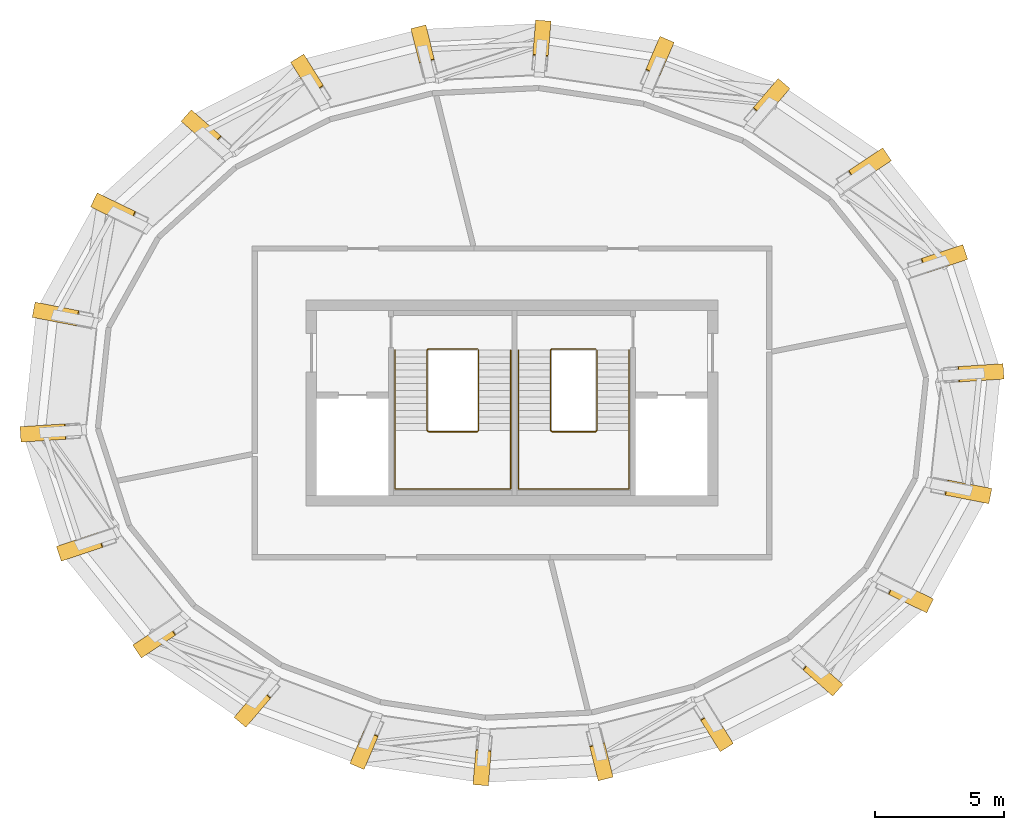
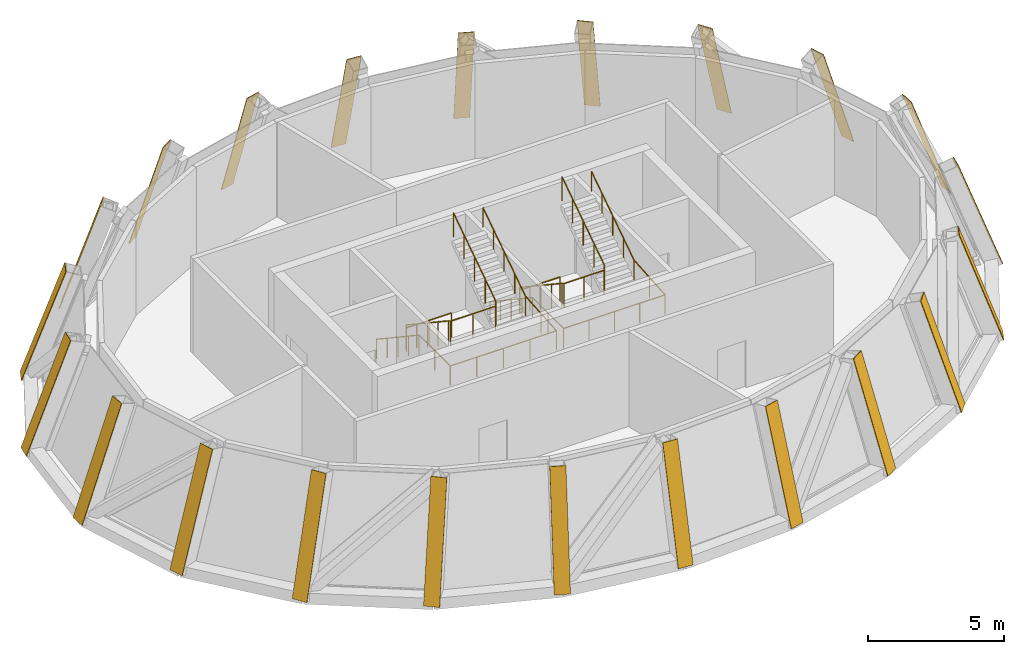
# One storey, part 6 of 6: 22 coverings, 4 railings.
"""IFC4 building model written with IfcOpenShell, lengths in metres."""

import ifcopenshell
import ifcopenshell.guid

model = None  # the IFC model being written
_history = None  # IfcOwnerHistory: only IFC2X3 demands one
_inside = {}  # id of a spatial element -> (the spatial element, [elements in it])
_under = {}  # id of a project, library or spatial element -> (it, [spatial elements below it])
_declared = {}  # id of a project -> (the project, [libraries it declares])
_typed = {}  # id of a type object -> (the type object, [elements of that type])
_made_of = {}  # id of a material, layer set ... -> (it, [elements and type objects made of it])


def new_model(schema):
    """Start an empty IFC model of exactly this schema.

    Asked for "IFC4X3", IfcOpenShell would pick the latest addendum, in which some entities
    have other attributes; the version numbers below select the first issue.
    IFC2X3 requires an IfcOwnerHistory on every rooted entity: one is made here for all.
    """
    global model, _history
    if schema == "IFC4X3":
        model = ifcopenshell.file(schema_version=(4, 3, 0, 0))
    else:
        model = ifcopenshell.file(schema=schema)
    _inside.clear()
    _under.clear()
    _declared.clear()
    _typed.clear()
    _made_of.clear()
    _history = None
    if model.schema == "IFC2X3":
        org = make("IfcOrganization", Name="unknown")
        user = make(
            "IfcPersonAndOrganization",
            ThePerson=make("IfcPerson", FamilyName="unknown"),
            TheOrganization=org,
        )
        app = make(
            "IfcApplication",
            ApplicationDeveloper=org,
            Version="unknown",
            ApplicationFullName="unknown",
            ApplicationIdentifier="unknown",
        )
        _history = make(
            "IfcOwnerHistory",
            OwningUser=user,
            OwningApplication=app,
            ChangeAction="ADDED",
            CreationDate=0,
        )
    return model


def make(cls, **values):
    """One entity of the class cls with the attributes given. An attribute that is None is left unset."""
    return model.create_entity(
        cls, **{name: value for name, value in values.items() if value is not None}
    )


def rooted(cls, **values):
    """An entity with a GlobalId (a new one), such as an element, a storey or a relation."""
    return make(cls, GlobalId=ifcopenshell.guid.new(), OwnerHistory=_history, **values)


def si_unit(unit_type, name, prefix=None):
    """IfcSIUnit, for example si_unit("LENGTHUNIT", "METRE", prefix="MILLI")."""
    return make("IfcSIUnit", UnitType=unit_type, Prefix=prefix, Name=name)


def assignment(units):
    """IfcUnitAssignment: the units of a project."""
    return None if units is None else make("IfcUnitAssignment", Units=units)


def point(xyz):
    """IfcCartesianPoint."""
    return None if xyz is None else make("IfcCartesianPoint", Coordinates=xyz)


def direction(xyz):
    """IfcDirection."""
    return None if xyz is None else make("IfcDirection", DirectionRatios=xyz)


def frame(location, z_axis=None, x_axis=None):
    """IfcAxis2Placement3D, a coordinate frame: its origin and axes. An axis left out is left unset."""
    return make(
        "IfcAxis2Placement3D",
        Location=point(location),
        Axis=direction(z_axis),
        RefDirection=direction(x_axis),
    )


def frame_2d(location, x_axis=None):
    """IfcAxis2Placement2D, a coordinate frame in the plane: its origin and x axis."""
    return make(
        "IfcAxis2Placement2D", Location=point(location), RefDirection=direction(x_axis)
    )


def origin():
    """The frame at (0, 0, 0) with its axes left unset."""
    return frame((0.0, 0.0, 0.0))


def origin_2d():
    """The frame at (0, 0) in the plane with its x axis left unset."""
    return frame_2d((0.0, 0.0))


def place(relative_to, where):
    """IfcLocalPlacement: puts the frame where relative to a parent placement (None: the world)."""
    return make(
        "IfcLocalPlacement", PlacementRelTo=relative_to, RelativePlacement=where
    )


def context(
    kind, dimensions, precision=None, world=None, true_north=None, identifier=None
):
    """IfcGeometricRepresentationContext, for example the 3D "Model" context."""
    return make(
        "IfcGeometricRepresentationContext",
        ContextIdentifier=identifier,
        ContextType=kind,
        CoordinateSpaceDimension=dimensions,
        Precision=precision,
        WorldCoordinateSystem=world,
        TrueNorth=true_north,
    )


def subcontext(parent, identifier, kind, view, scale=None):
    """IfcGeometricRepresentationSubContext, for example "Body" below "Model"."""
    return make(
        "IfcGeometricRepresentationSubContext",
        ContextIdentifier=identifier,
        ContextType=kind,
        ParentContext=parent,
        TargetScale=scale,
        TargetView=view,
    )


def project(units=None, contexts=None):
    """IfcProject with its units and contexts."""
    return rooted(
        "IfcProject",
        Name="project",
        RepresentationContexts=contexts,
        UnitsInContext=assignment(units),
    )


def spatial(cls, under=None, at=None, **own):
    """A site, building, storey or space (cls), placed at a placement, below another one or the project."""
    s = rooted(cls, ObjectPlacement=at, **own)
    if under is not None:
        _under.setdefault(under.id(), (under, []))[1].append(s)
    return s


def polyline(points):
    """IfcPolyline through the points."""
    return make("IfcPolyline", Points=[point(p) for p in points])


def profile(cls, at=None, kind="AREA", **sizes):
    """A parametric profile (cls). Its sizes go by their IFC names, for example OverallWidth=200.0."""
    return make(cls, ProfileType=kind, Position=at, **sizes)


def circle(**sizes):
    """IfcCircleProfileDef."""
    return profile("IfcCircleProfileDef", **sizes)


def outline(outer, holes=None, kind="AREA"):
    """IfcArbitraryClosedProfileDef: a profile drawn as a closed curve; with holes, ...WithVoids."""
    if holes is None:
        return make("IfcArbitraryClosedProfileDef", ProfileType=kind, OuterCurve=outer)
    return make(
        "IfcArbitraryProfileDefWithVoids",
        ProfileType=kind,
        OuterCurve=outer,
        InnerCurves=holes,
    )


def extrude(swept, where, along, depth):
    """IfcExtrudedAreaSolid: the profile swept, set in the frame where, extruded along a direction by depth."""
    return make(
        "IfcExtrudedAreaSolid",
        SweptArea=swept,
        Position=where,
        ExtrudedDirection=direction(along),
        Depth=depth,
    )


def shape(context_of_items, identifier, shape_type, items):
    """IfcShapeRepresentation: the items that make up one representation, for example the "Body"."""
    return make(
        "IfcShapeRepresentation",
        ContextOfItems=context_of_items,
        RepresentationIdentifier=identifier,
        RepresentationType=shape_type,
        Items=items,
    )


def source(mapping_origin, context_of_items, identifier, shape_type, items):
    """IfcRepresentationMap: a shape defined once, which mapped items show again and again."""
    return make(
        "IfcRepresentationMap",
        MappingOrigin=mapping_origin,
        MappedRepresentation=shape(context_of_items, identifier, shape_type, items),
    )


def transform(
    local_origin,
    x_axis=None,
    y_axis=None,
    z_axis=None,
    scale=None,
    scale2=None,
    scale3=None,
    uniform=True,
):
    """IfcCartesianTransformationOperator3D, or its non-uniform kind. x_axis, y_axis, z_axis: its Axis1, 2, 3."""
    if uniform:
        return make(
            "IfcCartesianTransformationOperator3D",
            Axis1=direction(x_axis),
            Axis2=direction(y_axis),
            LocalOrigin=point(local_origin),
            Scale=scale,
            Axis3=direction(z_axis),
        )
    return make(
        "IfcCartesianTransformationOperator3DnonUniform",
        Axis1=direction(x_axis),
        Axis2=direction(y_axis),
        LocalOrigin=point(local_origin),
        Scale=scale,
        Axis3=direction(z_axis),
        Scale2=scale2,
        Scale3=scale3,
    )


def mapped(mapping_source, mapping_target):
    """IfcMappedItem: shows the shape of a source again, moved by a transform."""
    return make(
        "IfcMappedItem", MappingSource=mapping_source, MappingTarget=mapping_target
    )


def material(Name=None, Category=None):
    """IfcMaterial."""
    return make("IfcMaterial", Name=Name, Category=Category)


def layer(
    of_material, thickness, ventilated=None, Name=None, Category=None, Priority=None
):
    """IfcMaterialLayer: one layer of a wall or slab, of a material (None: an air gap)."""
    return make(
        "IfcMaterialLayer",
        Material=of_material,
        LayerThickness=thickness,
        IsVentilated=ventilated,
        Name=Name,
        Category=Category,
        Priority=Priority,
    )


def layer_set(layers, Name=None):
    """IfcMaterialLayerSet."""
    return make("IfcMaterialLayerSet", MaterialLayers=layers, LayerSetName=Name)


def made_of(thing, what):
    """Note that an element or type object is made of a material, layer set ...; save() writes the relation."""
    if what is not None:
        _made_of.setdefault(what.id(), (what, []))[1].append(thing)
    return thing


def type_object(cls, material=None, **own):
    """A type object (cls), such as IfcWallType, which elements share."""
    return made_of(rooted(cls, **own), material)


def element(
    cls,
    number,
    at=None,
    inside=None,
    cuts=None,
    type_object=None,
    material=None,
    context=None,
    identifier="Body",
    shape_type=None,
    held_by="IfcProductDefinitionShape",
    body=None,
    shapes=None,
    **own,
):
    """One element of the class cls, such as IfcWall. Its Tag is "e" and its number.

    at: its placement. inside: the storey or other place that contains it. cuts: it is an
    opening in that element (IfcRelVoidsElement). A single representation is given by context,
    identifier, shape_type and body (its items); several are given by shapes. held_by: the class
    of the entity that holds the representations. save() writes the other relations.
    """
    e = rooted(cls, Tag="e%d" % number, ObjectPlacement=at, **own)
    if body is not None:
        shapes = [shape(context, identifier, shape_type, body)]
    if shapes is not None:
        e.Representation = make(held_by, Representations=shapes)
    if inside is not None:
        _inside.setdefault(inside.id(), (inside, []))[1].append(e)
    if cuts is not None:
        rooted(
            "IfcRelVoidsElement", RelatingBuildingElement=cuts, RelatedOpeningElement=e
        )
    if type_object is not None:
        _typed.setdefault(type_object.id(), (type_object, []))[1].append(e)
    return made_of(e, material)


def aggregate(whole, parts):
    """IfcRelAggregates: a whole, such as a stair, and the parts it consists of."""
    return rooted("IfcRelAggregates", RelatingObject=whole, RelatedObjects=parts)


def save(model, path):
    """Write the relations noted so far, then the file.

    IfcRelAggregates (storeys below a building ...), IfcRelContainedInSpatialStructure (elements
    in a storey), IfcRelDefinesByType, IfcRelAssociatesMaterial and IfcRelDeclares: one each for
    every whole, place, type object, material and project.
    """
    for whole, parts in _under.values():
        aggregate(whole, parts)
    for where, things in _inside.values():
        rooted(
            "IfcRelContainedInSpatialStructure",
            RelatedElements=things,
            RelatingStructure=where,
        )
    for kind, things in _typed.values():
        rooted("IfcRelDefinesByType", RelatedObjects=things, RelatingType=kind)
    for what, things in _made_of.values():
        rooted("IfcRelAssociatesMaterial", RelatedObjects=things, RelatingMaterial=what)
    for by, libraries in _declared.values():
        rooted("IfcRelDeclares", RelatingContext=by, RelatedDefinitions=libraries)
    model.write(path)


model = new_model("IFC4")

# Units and contexts
model_context = context("Model", 3, precision=1e-05, world=origin(), true_north=direction((0.0, 1.0)))
body_context = subcontext(model_context, "Body", "Model", "MODEL_VIEW")
ifc_project = project(units=[si_unit("LENGTHUNIT", "METRE"), si_unit("AREAUNIT", "SQUARE_METRE"), si_unit("VOLUMEUNIT", "CUBIC_METRE"), si_unit("PLANEANGLEUNIT", "RADIAN"), si_unit("MASSUNIT", "GRAM", prefix="KILO")], contexts=[model_context])

# Site, building, storey
site_placement = place(None, origin())
site = spatial("IfcSite", under=ifc_project, at=site_placement, CompositionType="ELEMENT")
building_placement = place(site_placement, origin())
building = spatial("IfcBuilding", under=site, at=building_placement, Name="Embergate Tower", CompositionType="ELEMENT")
storey_placement = place(building_placement, frame((0.0, 0.0, 356.5)))
storey = spatial("IfcBuildingStorey", under=building, at=storey_placement, Name="L81", CompositionType="ELEMENT", Elevation=356.5)

# Coverings
ifc_material_1 = material(Name="Terracotta, extruded and fired", Category="masonry")
ifc_layer = layer(ifc_material_1, 0.030029296875)
ifc_layer_set = layer_set([ifc_layer], Name="Terracotta, extruded and fired")
covering_type = type_object("IfcCoveringType", Name="Terracotta hip facing", PredefinedType="CLADDING", material=ifc_layer_set)
shared_shape_1 = source(origin(), body_context, "Body", "SweptSolid", [
    extrude(outline(polyline([(0.0, 0.0), (5.08740234375, 0.0), (5.08740234375, -0.60009765625), (0.0, -0.599853515625), (0.0, 0.0)])), origin(), (0.0, 0.0, -1.0), 0.030029296875),
])
for number, where, z_axis, x_axis, name in (
    (1, (19.129638671875, 0.926513671875, -0.0283203125), (0.9380274958, 0.060049058854, 0.341318806476), (-0.340619698233, -0.021834596157, 0.939947589808), "Hip facing L81-HP00"),
    (2, (-19.129638671875, -0.926513671875, -0.0283203125), (-0.9380274958, -0.060049058854, 0.341318806476), (0.340619698233, 0.021834596157, 0.939947589808), "Hip facing L81-HP11"),
):
    element("IfcCovering", number, at=place(storey_placement, frame(where, z_axis=z_axis, x_axis=x_axis)), inside=storey, type_object=covering_type, Name=name, PredefinedType="CLADDING", context=body_context, shape_type="MappedRepresentation", body=[
        mapped(shared_shape_1, transform((0.0, 0.0, 0.0))),
    ])
shared_shape_2 = source(origin(), body_context, "Body", "SweptSolid", [
    extrude(outline(polyline([(0.0, 0.0), (5.0693359375, 0.0), (5.0693359375, -0.60009765625), (0.0, -0.60009765625), (0.0, 0.0)])), origin(), (0.0, 0.0, -1.0), 0.030029296875),
])
for number, where, z_axis, x_axis, name in (
    (3, (17.71630859375, 5.582763671875, -0.031494140625), (0.894945518783, 0.298187250469, 0.331898903384), (-0.314871762935, -0.104941200893, 0.943314961856), "Hip facing L81-HP01"),
    (4, (-17.71630859375, -5.582763671875, -0.031494140625), (-0.894945518783, -0.298187250469, 0.331898903384), (0.314871762935, 0.104941200893, 0.943314961856), "Hip facing L81-HP12"),
):
    element("IfcCovering", number, at=place(storey_placement, frame(where, z_axis=z_axis, x_axis=x_axis)), inside=storey, type_object=covering_type, Name=name, PredefinedType="CLADDING", context=body_context, shape_type="MappedRepresentation", body=[
        mapped(shared_shape_2, transform((0.0, 0.0, 0.0))),
    ])
shared_shape_3 = source(origin(), body_context, "Body", "SweptSolid", [
    extrude(outline(polyline([(0.0, 0.0), (5.039306640625, 0.0), (5.039306640625, -0.60009765625), (0.0, -0.60009765625), (0.0, 0.0)])), origin(), (0.0, 0.0, -1.0), 0.030029296875),
])
for number, where, z_axis, x_axis, name in (
    (5, (14.746826171875, 9.416259765625, -0.038330078125), (0.791001748351, 0.524888367192, 0.314338092017), (-0.261902311943, -0.173826395718, 0.949311099245), "Hip facing L81-HP02"),
    (6, (-14.746826171875, -9.416259765625, -0.038330078125), (-0.791001748351, -0.524888367192, 0.314338092017), (0.261902311943, 0.173826395718, 0.949311099245), "Hip facing L81-HP13"),
):
    element("IfcCovering", number, at=place(storey_placement, frame(where, z_axis=z_axis, x_axis=x_axis)), inside=storey, type_object=covering_type, Name=name, PredefinedType="CLADDING", context=body_context, shape_type="MappedRepresentation", body=[
        mapped(shared_shape_3, transform((0.0, 0.0, 0.0))),
    ])
shared_shape_4 = source(origin(), body_context, "Body", "SweptSolid", [
    extrude(outline(polyline([(0.0, 0.0), (5.008544921875, 0.0), (5.008544921875, -0.60009765625), (0.0, -0.60009765625), (0.0, 0.0)])), origin(), (0.0, 0.0, -1.0), 0.030029296875),
])
for number, where, z_axis, x_axis, name in (
    (7, (10.804931640625, 12.223388671875, -0.045654296875), (0.619675283251, 0.727360385798, 0.294871857761), (-0.19127309186, -0.224419295343, 0.955536804214), "Hip facing L81-HP03"),
    (8, (-10.804931640625, -12.223388671875, -0.045654296875), (-0.619675283251, -0.727360385798, 0.294871857761), (0.19127309186, 0.224419295343, 0.955536804214), "Hip facing L81-HP14"),
):
    element("IfcCovering", number, at=place(storey_placement, frame(where, z_axis=z_axis, x_axis=x_axis)), inside=storey, type_object=covering_type, Name=name, PredefinedType="CLADDING", context=body_context, shape_type="MappedRepresentation", body=[
        mapped(shared_shape_4, transform((0.0, 0.0, 0.0))),
    ])
shared_shape_5 = source(origin(), body_context, "Body", "SweptSolid", [
    extrude(outline(polyline([(0.0, 0.0), (4.985107421875, 0.0), (4.98486328125, -0.60009765625), (0.0, -0.60009765625), (0.0, 0.0)])), origin(), (0.0, 0.0, -1.0), 0.030029296875),
])
for number, where, z_axis, x_axis, name in (
    (9, (6.30419921875, 14.01904296875, -0.052001953125), (0.376524941711, 0.883573319365, 0.278436990315), (-0.109108124598, -0.256169040136, 0.960454496591), "Hip facing L81-HP04"),
    (10, (-6.30419921875, -14.01904296875, -0.052001953125), (-0.376524941711, -0.883573319365, 0.278436990315), (0.109108124598, 0.256169040136, 0.960454496591), "Hip facing L81-HP15"),
):
    element("IfcCovering", number, at=place(storey_placement, frame(where, z_axis=z_axis, x_axis=x_axis)), inside=storey, type_object=covering_type, Name=name, PredefinedType="CLADDING", context=body_context, shape_type="MappedRepresentation", body=[
        mapped(shared_shape_5, transform((0.0, 0.0, 0.0))),
    ])
shared_shape_6 = source(origin(), body_context, "Body", "SweptSolid", [
    extrude(outline(polyline([(0.0, 0.0), (4.9736328125, 0.0), (4.9736328125, -0.599853515625), (0.0, -0.60009765625), (0.0, 0.0)])), origin(), (0.0, 0.0, -1.0), 0.030029296875),
])
for number, where, z_axis, x_axis, name in (
    (11, (1.51708984375, 14.839111328125, -0.0546875), (0.078732814768, 0.959482735193, 0.270543942355), (-0.022138380591, -0.269636638826, 0.962707627012), "Hip facing L81-HP05"),
    (12, (-1.51708984375, -14.839111328125, -0.0546875), (-0.078732814768, -0.959482735193, 0.270543942355), (0.022138380591, 0.269636638826, 0.962707627012), "Hip facing L81-HP16"),
):
    element("IfcCovering", number, at=place(storey_placement, frame(where, z_axis=z_axis, x_axis=x_axis)), inside=storey, type_object=covering_type, Name=name, PredefinedType="CLADDING", context=body_context, shape_type="MappedRepresentation", body=[
        mapped(shared_shape_6, transform((0.0, 0.0, 0.0))),
    ])
shared_shape_7 = source(origin(), body_context, "Body", "SweptSolid", [
    extrude(outline(polyline([(0.0, 0.0), (4.977783203125, 0.0), (4.977783203125, -0.60009765625), (0.0, -0.60009765625), (0.0, 0.0)])), origin(), (0.0, 0.0, -1.0), 0.030029296875),
])
for number, where, z_axis, x_axis, name in (
    (13, (-3.3505859375, 14.694580078125, -0.0537109375), (-0.232459783265, 0.933361250987, 0.273494468536), (0.066112868646, -0.265383332527, 0.961873575589), "Hip facing L81-HP06"),
    (14, (3.3505859375, -14.694580078125, -0.0537109375), (0.232459783265, -0.933361250987, 0.273494468536), (-0.066112868646, 0.265383332527, 0.961873575589), "Hip facing L81-HP17"),
):
    element("IfcCovering", number, at=place(storey_placement, frame(where, z_axis=z_axis, x_axis=x_axis)), inside=storey, type_object=covering_type, Name=name, PredefinedType="CLADDING", context=body_context, shape_type="MappedRepresentation", body=[
        mapped(shared_shape_7, transform((0.0, 0.0, 0.0))),
    ])
shared_shape_8 = source(origin(), body_context, "Body", "SweptSolid", [
    extrude(outline(polyline([(0.0, 0.0), (4.99609375, 0.0), (4.99609375, -0.599853515625), (0.0, -0.60009765625), (0.0, 0.0)])), origin(), (0.0, 0.0, -1.0), 0.030029296875),
])
for number, where, z_axis, x_axis, name in (
    (15, (-8.095703125, 13.56201171875, -0.0498046875), (-0.506956224357, 0.813274773767, 0.285621303371), (0.151097761477, -0.242381920664, 0.958342564542), "Hip facing L81-HP07"),
    (16, (8.095703125, -13.56201171875, -0.0498046875), (0.506956224357, -0.813274773767, 0.285621303371), (-0.151097761477, 0.242381920664, 0.958342564542), "Hip facing L81-HP18"),
):
    element("IfcCovering", number, at=place(storey_placement, frame(where, z_axis=z_axis, x_axis=x_axis)), inside=storey, type_object=covering_type, Name=name, PredefinedType="CLADDING", context=body_context, shape_type="MappedRepresentation", body=[
        mapped(shared_shape_8, transform((0.0, 0.0, 0.0))),
    ])
shared_shape_9 = source(origin(), body_context, "Body", "SweptSolid", [
    extrude(outline(polyline([(0.0, 0.0), (5.02392578125, 0.0), (5.02392578125, -0.60009765625), (0.0, -0.60009765625), (0.0, 0.0)])), origin(), (0.0, 0.0, -1.0), 0.030029296875),
])
for number, where, z_axis, x_axis, name in (
    (17, (-12.46923828125, 11.39892578125, -0.04248046875), (-0.714339694493, 0.630231331116, 0.304182955063), (0.228106329813, -0.201233129901, 0.952613630875), "Hip facing L81-HP08"),
    (18, (12.46923828125, -11.39892578125, -0.04248046875), (0.714339694493, -0.630231331116, 0.304182955063), (-0.228106329813, 0.201233129901, 0.952613630875), "Hip facing L81-HP19"),
):
    element("IfcCovering", number, at=place(storey_placement, frame(where, z_axis=z_axis, x_axis=x_axis)), inside=storey, type_object=covering_type, Name=name, PredefinedType="CLADDING", context=body_context, shape_type="MappedRepresentation", body=[
        mapped(shared_shape_9, transform((0.0, 0.0, 0.0))),
    ])
shared_shape_10 = source(origin(), body_context, "Body", "SweptSolid", [
    extrude(outline(polyline([(0.0, 0.0), (5.056640625, 0.0), (5.056396484375, -0.599853515625), (0.0, -0.60009765625), (0.0, 0.0)])), origin(), (0.0, 0.0, -1.0), 0.030029296875),
])
for number, where, z_axis, x_axis, name in (
    (19, (-16.126220703125, 8.162109375, -0.03515625), (-0.851417894855, 0.412522846185, 0.32390194457), (0.291499191117, -0.141211513968, 0.94609065628), "Hip facing L81-HP09"),
    (20, (16.126220703125, -8.162109375, -0.03515625), (0.851417894855, -0.412522846185, 0.32390194457), (-0.291499191117, 0.141211513968, 0.94609065628), "Hip facing L81-HP20"),
):
    element("IfcCovering", number, at=place(storey_placement, frame(where, z_axis=z_axis, x_axis=x_axis)), inside=storey, type_object=covering_type, Name=name, PredefinedType="CLADDING", context=body_context, shape_type="MappedRepresentation", body=[
        mapped(shared_shape_10, transform((0.0, 0.0, 0.0))),
    ])
shared_shape_11 = source(origin(), body_context, "Body", "SweptSolid", [
    extrude(outline(polyline([(0.0, 0.0), (5.08154296875, 0.0), (5.08154296875, -0.599853515625), (0.0, -0.599853515625), (0.0, 0.0)])), origin(), (0.0, 0.0, -1.0), 0.030029296875),
])
for number, where, z_axis, x_axis, name in (
    (21, (-18.54150390625, 3.91796875, -0.029296875), (-0.923683921792, 0.179988160548, 0.338248835452), (0.331990699282, -0.06476461109, 0.941056704317), "Hip facing L81-HP10"),
    (22, (18.54150390625, -3.91796875, -0.029296875), (0.923683921792, -0.179988160548, 0.338248835452), (-0.331990699282, 0.06476461109, 0.941056704317), "Hip facing L81-HP21"),
):
    element("IfcCovering", number, at=place(storey_placement, frame(where, z_axis=z_axis, x_axis=x_axis)), inside=storey, type_object=covering_type, Name=name, PredefinedType="CLADDING", context=body_context, shape_type="MappedRepresentation", body=[
        mapped(shared_shape_11, transform((0.0, 0.0, 0.0))),
    ])

# Railings
ifc_material_2 = material(Name="Stair guard 1100")
railing_type_1 = type_object("IfcRailingType", Name="Stair guard 1100", PredefinedType="GUARDRAIL", material=ifc_material_2)
shared_shape_12 = source(origin(), body_context, "Body", "SweptSolid", [
    extrude(circle(Radius=0.02392578125, at=origin_2d()), frame((0.0, 0.0, 1.076171875), z_axis=(-1.0, 0.0, 0.0), x_axis=(0.0, -1.0, 0.0)), (0.0, 0.0, 1.0), 1.699951171875),
    extrude(circle(Radius=0.02392578125, at=origin_2d()), frame((-1.699951171875, 0.0, 1.076171875), z_axis=(-0.267629722418, -0.267629722418, 0.925607186314), x_axis=(0.707106781187, -0.707106781187, 0.0)), (0.0, 0.0, 1.0), 0.18701171875),
    extrude(circle(Radius=0.02392578125, at=origin_2d()), frame((-1.75, -0.050048828125, 1.2490234375), z_axis=(0.0, -0.83244090515, 0.554113832559), x_axis=(1.0, 0.0, 0.0)), (0.0, 0.0, 1.0), 3.748046875),
    extrude(circle(Radius=0.02392578125, at=origin_2d()), frame((-1.75, -3.170166015625, 3.326171875), z_axis=(0.707106781187, -0.707106781187, 0.0), x_axis=(0.707106781187, 0.707106781187, 0.0)), (0.0, 0.0, 1.0), 0.07080078125),
    extrude(circle(Radius=0.02392578125, at=origin_2d()), frame((-1.699951171875, -3.22021484375, 3.326171875), z_axis=(1.0, 0.0, 0.0), x_axis=(0.0, 1.0, 0.0)), (0.0, 0.0, 1.0), 1.699951171875),
    extrude(circle(Radius=0.02392578125, at=origin_2d()), frame((0.0, -3.22021484375, 3.326171875), z_axis=(0.267629722418, 0.267629722418, 0.925607186314), x_axis=(-0.707106781187, 0.707106781187, 0.0)), (0.0, 0.0, 1.0), 0.18701171875),
    extrude(circle(Radius=0.02392578125, at=origin_2d()), frame((0.050048828125, -3.170166015625, 3.4990234375), z_axis=(0.0, 0.83244090515, 0.554113832559), x_axis=(-1.0, 0.0, 0.0)), (0.0, 0.0, 1.0), 3.748046875),
    extrude(circle(Radius=0.02099609375, at=origin_2d()), origin(), (0.0, 0.0, 1.0), 1.052001953125),
    extrude(circle(Radius=0.02099609375, at=origin_2d()), frame((-0.85009765625, 0.0, 0.0)), (0.0, 0.0, 1.0), 1.052001953125),
    extrude(circle(Radius=0.02099609375, at=origin_2d()), frame((-1.699951171875, 0.0, 0.0)), (0.0, 0.0, 1.0), 1.052001953125),
    extrude(circle(Radius=0.02099609375, at=origin_2d()), frame((-1.75, -0.050048828125, 0.173095703125)), (0.0, 0.0, 1.0), 1.052001953125),
    extrude(circle(Radius=0.02099609375, at=origin_2d()), frame((-1.75, -0.830078125, 0.6923828125)), (0.0, 0.0, 1.0), 1.052001953125),
    extrude(circle(Radius=0.02099609375, at=origin_2d()), frame((-1.75, -1.610107421875, 1.21142578125)), (0.0, 0.0, 1.0), 1.052001953125),
    extrude(circle(Radius=0.02099609375, at=origin_2d()), frame((-1.75, -2.39013671875, 1.730712890625)), (0.0, 0.0, 1.0), 1.052001953125),
    extrude(circle(Radius=0.02099609375, at=origin_2d()), frame((-1.75, -3.170166015625, 2.25)), (0.0, 0.0, 1.0), 1.052001953125),
    extrude(circle(Radius=0.02099609375, at=origin_2d()), frame((-1.699951171875, -3.22021484375, 2.25)), (0.0, 0.0, 1.0), 1.052001953125),
    extrude(circle(Radius=0.02099609375, at=origin_2d()), frame((-0.85009765625, -3.22021484375, 2.25)), (0.0, 0.0, 1.0), 1.052001953125),
    extrude(circle(Radius=0.02099609375, at=origin_2d()), frame((0.0, -3.22021484375, 2.25)), (0.0, 0.0, 1.0), 1.052001953125),
    extrude(circle(Radius=0.02099609375, at=origin_2d()), frame((0.050048828125, -3.170166015625, 2.423095703125)), (0.0, 0.0, 1.0), 1.052001953125),
    extrude(circle(Radius=0.02099609375, at=origin_2d()), frame((0.050048828125, -2.39013671875, 2.9423828125)), (0.0, 0.0, 1.0), 1.052001953125),
    extrude(circle(Radius=0.02099609375, at=origin_2d()), frame((0.050048828125, -1.610107421875, 3.46142578125)), (0.0, 0.0, 1.0), 1.052001953125),
    extrude(circle(Radius=0.02099609375, at=origin_2d()), frame((0.050048828125, -0.830078125, 3.980712890625)), (0.0, 0.0, 1.0), 1.052001953125),
    extrude(circle(Radius=0.02099609375, at=origin_2d()), frame((0.050048828125, -0.050048828125, 4.5)), (0.0, 0.0, 1.0), 1.052001953125),
])
railing_1_placement = place(storey_placement, frame((3.25, 2.10009765625, 0.0)))
element("IfcRailing", 23, at=railing_1_placement, inside=storey, type_object=railing_type_1, Name="L81 ST1 stair guard 1", PredefinedType="GUARDRAIL", context=body_context, shape_type="MappedRepresentation", body=[
    mapped(shared_shape_12, transform((0.0, 0.0, 0.0))),
])
ifc_material_3 = material(Name="Stair handrail 900")
railing_type_2 = type_object("IfcRailingType", Name="Stair handrail 900", PredefinedType="HANDRAIL", material=ifc_material_3)
shared_shape_13 = source(origin(), body_context, "Body", "SweptSolid", [
    extrude(circle(Radius=0.02392578125, at=origin_2d()), frame((0.0, 0.0, 0.8759765625), z_axis=(0.0, -0.83244090515, 0.554113832559), x_axis=(1.0, 0.0, 0.0)), (0.0, 0.0, 1.0), 3.748046875),
    extrude(circle(Radius=0.02392578125, at=origin_2d()), frame((0.0, -3.1201171875, 2.95263671875), z_axis=(0.0, -1.0, 0.0), x_axis=(1.0, 0.0, 0.0)), (0.0, 0.0, 1.0), 2.280029296875),
    extrude(circle(Radius=0.02392578125, at=origin_2d()), frame((0.0, -5.400146484375, 2.95263671875), z_axis=(1.0, 0.0, 0.0), x_axis=(0.0, 1.0, 0.0)), (0.0, 0.0, 1.0), 4.300048828125),
    extrude(circle(Radius=0.02392578125, at=origin_2d()), frame((4.300048828125, -5.400146484375, 2.95263671875), z_axis=(0.0, 0.997130611527, 0.075700353739), x_axis=(-1.0, 0.0, 0.0)), (0.0, 0.0, 1.0), 2.28662109375),
    extrude(circle(Radius=0.02392578125, at=origin_2d()), frame((4.300048828125, -3.1201171875, 3.1259765625), z_axis=(0.0, 0.83244090515, 0.554113832559), x_axis=(-1.0, 0.0, 0.0)), (0.0, 0.0, 1.0), 3.748046875),
    extrude(circle(Radius=0.02099609375, at=origin_2d()), origin(), (0.0, 0.0, 1.0), 0.851806640625),
    extrude(circle(Radius=0.02099609375, at=origin_2d()), frame((0.0, -0.780029296875, 0.519287109375)), (0.0, 0.0, 1.0), 0.851806640625),
    extrude(circle(Radius=0.02099609375, at=origin_2d()), frame((0.0, -1.56005859375, 1.03857421875)), (0.0, 0.0, 1.0), 0.851806640625),
    extrude(circle(Radius=0.02099609375, at=origin_2d()), frame((0.0, -2.340087890625, 1.5576171875)), (0.0, 0.0, 1.0), 0.851806640625),
    extrude(circle(Radius=0.02099609375, at=origin_2d()), frame((0.0, -3.1201171875, 2.076904296875)), (0.0, 0.0, 1.0), 0.851806640625),
    extrude(circle(Radius=0.02099609375, at=origin_2d()), frame((0.0, -4.26025390625, 2.076904296875)), (0.0, 0.0, 1.0), 0.851806640625),
    extrude(circle(Radius=0.02099609375, at=origin_2d()), frame((0.0, -5.400146484375, 2.076904296875)), (0.0, 0.0, 1.0), 0.851806640625),
    extrude(circle(Radius=0.02099609375, at=origin_2d()), frame((1.074951171875, -5.400146484375, 2.076904296875)), (0.0, 0.0, 1.0), 0.851806640625),
    extrude(circle(Radius=0.02099609375, at=origin_2d()), frame((2.14990234375, -5.400146484375, 2.076904296875)), (0.0, 0.0, 1.0), 0.851806640625),
    extrude(circle(Radius=0.02099609375, at=origin_2d()), frame((3.22509765625, -5.400146484375, 2.076904296875)), (0.0, 0.0, 1.0), 0.851806640625),
    extrude(circle(Radius=0.02099609375, at=origin_2d()), frame((4.300048828125, -5.400146484375, 2.076904296875)), (0.0, 0.0, 1.0), 0.851806640625),
    extrude(circle(Radius=0.02099609375, at=origin_2d()), frame((4.300048828125, -4.26025390625, 2.16357421875)), (0.0, 0.0, 1.0), 0.851806640625),
    extrude(circle(Radius=0.02099609375, at=origin_2d()), frame((4.300048828125, -3.1201171875, 2.25)), (0.0, 0.0, 1.0), 0.851806640625),
    extrude(circle(Radius=0.02099609375, at=origin_2d()), frame((4.300048828125, -2.340087890625, 2.769287109375)), (0.0, 0.0, 1.0), 0.851806640625),
    extrude(circle(Radius=0.02099609375, at=origin_2d()), frame((4.300048828125, -1.56005859375, 3.28857421875)), (0.0, 0.0, 1.0), 0.851806640625),
    extrude(circle(Radius=0.02099609375, at=origin_2d()), frame((4.300048828125, -0.780029296875, 3.8076171875)), (0.0, 0.0, 1.0), 0.851806640625),
    extrude(circle(Radius=0.02099609375, at=origin_2d()), frame((4.300048828125, 0.0, 4.326904296875)), (0.0, 0.0, 1.0), 0.851806640625),
])
railing_2_placement = place(storey_placement, frame((0.25, 2.050048828125, 0.173095703125)))
element("IfcRailing", 24, at=railing_2_placement, inside=storey, type_object=railing_type_2, Name="L81 ST1 stair handrail 1", PredefinedType="HANDRAIL", context=body_context, shape_type="MappedRepresentation", body=[
    mapped(shared_shape_13, transform((0.0, 0.0, 0.0))),
])
shared_shape_14 = source(origin(), body_context, "Body", "SweptSolid", [
    extrude(circle(Radius=0.02392578125, at=origin_2d()), frame((0.0, 0.0, 1.076171875), z_axis=(-1.0, 0.0, 0.0), x_axis=(0.0, -1.0, 0.0)), (0.0, 0.0, 1.0), 1.89990234375),
    extrude(circle(Radius=0.02392578125, at=origin_2d()), frame((-1.89990234375, 0.0, 1.076171875), z_axis=(-0.267629722418, -0.267629722418, 0.925607186314), x_axis=(0.707106781187, -0.707106781187, 0.0)), (0.0, 0.0, 1.0), 0.18701171875),
    extrude(circle(Radius=0.02392578125, at=origin_2d()), frame((-1.949951171875, -0.050048828125, 1.2490234375), z_axis=(0.0, -0.83244090515, 0.554113832559), x_axis=(1.0, 0.0, 0.0)), (0.0, 0.0, 1.0), 3.748046875),
    extrude(circle(Radius=0.02392578125, at=origin_2d()), frame((-1.949951171875, -3.170166015625, 3.326171875), z_axis=(0.707106781187, -0.707106781187, 0.0), x_axis=(0.707106781187, 0.707106781187, 0.0)), (0.0, 0.0, 1.0), 0.07080078125),
    extrude(circle(Radius=0.02392578125, at=origin_2d()), frame((-1.89990234375, -3.22021484375, 3.326171875), z_axis=(1.0, 0.0, 0.0), x_axis=(0.0, 1.0, 0.0)), (0.0, 0.0, 1.0), 1.89990234375),
    extrude(circle(Radius=0.02392578125, at=origin_2d()), frame((0.0, -3.22021484375, 3.326171875), z_axis=(0.267629722418, 0.267629722418, 0.925607186314), x_axis=(-0.707106781187, 0.707106781187, 0.0)), (0.0, 0.0, 1.0), 0.18701171875),
    extrude(circle(Radius=0.02392578125, at=origin_2d()), frame((0.050048828125, -3.170166015625, 3.4990234375), z_axis=(0.0, 0.83244090515, 0.554113832559), x_axis=(-1.0, 0.0, 0.0)), (0.0, 0.0, 1.0), 3.748046875),
    extrude(circle(Radius=0.02099609375, at=origin_2d()), origin(), (0.0, 0.0, 1.0), 1.052001953125),
    extrude(circle(Radius=0.02099609375, at=origin_2d()), frame((-0.949951171875, 0.0, 0.0)), (0.0, 0.0, 1.0), 1.052001953125),
    extrude(circle(Radius=0.02099609375, at=origin_2d()), frame((-1.89990234375, 0.0, 0.0)), (0.0, 0.0, 1.0), 1.052001953125),
    extrude(circle(Radius=0.02099609375, at=origin_2d()), frame((-1.949951171875, -0.050048828125, 0.173095703125)), (0.0, 0.0, 1.0), 1.052001953125),
    extrude(circle(Radius=0.02099609375, at=origin_2d()), frame((-1.949951171875, -0.830078125, 0.6923828125)), (0.0, 0.0, 1.0), 1.052001953125),
    extrude(circle(Radius=0.02099609375, at=origin_2d()), frame((-1.949951171875, -1.610107421875, 1.21142578125)), (0.0, 0.0, 1.0), 1.052001953125),
    extrude(circle(Radius=0.02099609375, at=origin_2d()), frame((-1.949951171875, -2.39013671875, 1.730712890625)), (0.0, 0.0, 1.0), 1.052001953125),
    extrude(circle(Radius=0.02099609375, at=origin_2d()), frame((-1.949951171875, -3.170166015625, 2.25)), (0.0, 0.0, 1.0), 1.052001953125),
    extrude(circle(Radius=0.02099609375, at=origin_2d()), frame((-1.89990234375, -3.22021484375, 2.25)), (0.0, 0.0, 1.0), 1.052001953125),
    extrude(circle(Radius=0.02099609375, at=origin_2d()), frame((-0.949951171875, -3.22021484375, 2.25)), (0.0, 0.0, 1.0), 1.052001953125),
    extrude(circle(Radius=0.02099609375, at=origin_2d()), frame((0.0, -3.22021484375, 2.25)), (0.0, 0.0, 1.0), 1.052001953125),
    extrude(circle(Radius=0.02099609375, at=origin_2d()), frame((0.050048828125, -3.170166015625, 2.423095703125)), (0.0, 0.0, 1.0), 1.052001953125),
    extrude(circle(Radius=0.02099609375, at=origin_2d()), frame((0.050048828125, -2.39013671875, 2.9423828125)), (0.0, 0.0, 1.0), 1.052001953125),
    extrude(circle(Radius=0.02099609375, at=origin_2d()), frame((0.050048828125, -1.610107421875, 3.46142578125)), (0.0, 0.0, 1.0), 1.052001953125),
    extrude(circle(Radius=0.02099609375, at=origin_2d()), frame((0.050048828125, -0.830078125, 3.980712890625)), (0.0, 0.0, 1.0), 1.052001953125),
    extrude(circle(Radius=0.02099609375, at=origin_2d()), frame((0.050048828125, -0.050048828125, 4.5)), (0.0, 0.0, 1.0), 1.052001953125),
])
railing_3_placement = place(storey_placement, frame((-1.35009765625, 2.10009765625, 0.0)))
element("IfcRailing", 25, at=railing_3_placement, inside=storey, type_object=railing_type_1, Name="L81 ST3 stair guard 1", PredefinedType="GUARDRAIL", context=body_context, shape_type="MappedRepresentation", body=[
    mapped(shared_shape_14, transform((0.0, 0.0, 0.0))),
])
shared_shape_15 = source(origin(), body_context, "Body", "SweptSolid", [
    extrude(circle(Radius=0.02392578125, at=origin_2d()), frame((0.0, 0.0, 0.8759765625), z_axis=(0.0, -0.83244090515, 0.554113832559), x_axis=(1.0, 0.0, 0.0)), (0.0, 0.0, 1.0), 3.748046875),
    extrude(circle(Radius=0.02392578125, at=origin_2d()), frame((0.0, -3.1201171875, 2.95263671875), z_axis=(0.0, -1.0, 0.0), x_axis=(1.0, 0.0, 0.0)), (0.0, 0.0, 1.0), 2.280029296875),
    extrude(circle(Radius=0.02392578125, at=origin_2d()), frame((0.0, -5.400146484375, 2.95263671875), z_axis=(1.0, 0.0, 0.0), x_axis=(0.0, 1.0, 0.0)), (0.0, 0.0, 1.0), 4.5),
    extrude(circle(Radius=0.02392578125, at=origin_2d()), frame((4.5, -5.400146484375, 2.95263671875), z_axis=(0.0, 0.997130611527, 0.075700353739), x_axis=(-1.0, 0.0, 0.0)), (0.0, 0.0, 1.0), 2.28662109375),
    extrude(circle(Radius=0.02392578125, at=origin_2d()), frame((4.5, -3.1201171875, 3.1259765625), z_axis=(0.0, 0.83244090515, 0.554113832559), x_axis=(-1.0, 0.0, 0.0)), (0.0, 0.0, 1.0), 3.748046875),
    extrude(circle(Radius=0.02099609375, at=origin_2d()), origin(), (0.0, 0.0, 1.0), 0.851806640625),
    extrude(circle(Radius=0.02099609375, at=origin_2d()), frame((0.0, -0.780029296875, 0.519287109375)), (0.0, 0.0, 1.0), 0.851806640625),
    extrude(circle(Radius=0.02099609375, at=origin_2d()), frame((0.0, -1.56005859375, 1.03857421875)), (0.0, 0.0, 1.0), 0.851806640625),
    extrude(circle(Radius=0.02099609375, at=origin_2d()), frame((0.0, -2.340087890625, 1.5576171875)), (0.0, 0.0, 1.0), 0.851806640625),
    extrude(circle(Radius=0.02099609375, at=origin_2d()), frame((0.0, -3.1201171875, 2.076904296875)), (0.0, 0.0, 1.0), 0.851806640625),
    extrude(circle(Radius=0.02099609375, at=origin_2d()), frame((0.0, -4.26025390625, 2.076904296875)), (0.0, 0.0, 1.0), 0.851806640625),
    extrude(circle(Radius=0.02099609375, at=origin_2d()), frame((0.0, -5.400146484375, 2.076904296875)), (0.0, 0.0, 1.0), 0.851806640625),
    extrude(circle(Radius=0.02099609375, at=origin_2d()), frame((1.125, -5.400146484375, 2.076904296875)), (0.0, 0.0, 1.0), 0.851806640625),
    extrude(circle(Radius=0.02099609375, at=origin_2d()), frame((2.25, -5.400146484375, 2.076904296875)), (0.0, 0.0, 1.0), 0.851806640625),
    extrude(circle(Radius=0.02099609375, at=origin_2d()), frame((3.375, -5.400146484375, 2.076904296875)), (0.0, 0.0, 1.0), 0.851806640625),
    extrude(circle(Radius=0.02099609375, at=origin_2d()), frame((4.5, -5.400146484375, 2.076904296875)), (0.0, 0.0, 1.0), 0.851806640625),
    extrude(circle(Radius=0.02099609375, at=origin_2d()), frame((4.5, -4.26025390625, 2.16357421875)), (0.0, 0.0, 1.0), 0.851806640625),
    extrude(circle(Radius=0.02099609375, at=origin_2d()), frame((4.5, -3.1201171875, 2.25)), (0.0, 0.0, 1.0), 0.851806640625),
    extrude(circle(Radius=0.02099609375, at=origin_2d()), frame((4.5, -2.340087890625, 2.769287109375)), (0.0, 0.0, 1.0), 0.851806640625),
    extrude(circle(Radius=0.02099609375, at=origin_2d()), frame((4.5, -1.56005859375, 3.28857421875)), (0.0, 0.0, 1.0), 0.851806640625),
    extrude(circle(Radius=0.02099609375, at=origin_2d()), frame((4.5, -0.780029296875, 3.8076171875)), (0.0, 0.0, 1.0), 0.851806640625),
    extrude(circle(Radius=0.02099609375, at=origin_2d()), frame((4.5, 0.0, 4.326904296875)), (0.0, 0.0, 1.0), 0.851806640625),
])
railing_4_placement = place(storey_placement, frame((-4.550048828125, 2.050048828125, 0.173095703125)))
element("IfcRailing", 26, at=railing_4_placement, inside=storey, type_object=railing_type_2, Name="L81 ST3 stair handrail 1", PredefinedType="HANDRAIL", context=body_context, shape_type="MappedRepresentation", body=[
    mapped(shared_shape_15, transform((0.0, 0.0, 0.0))),
])

save(model, "model.ifc")
